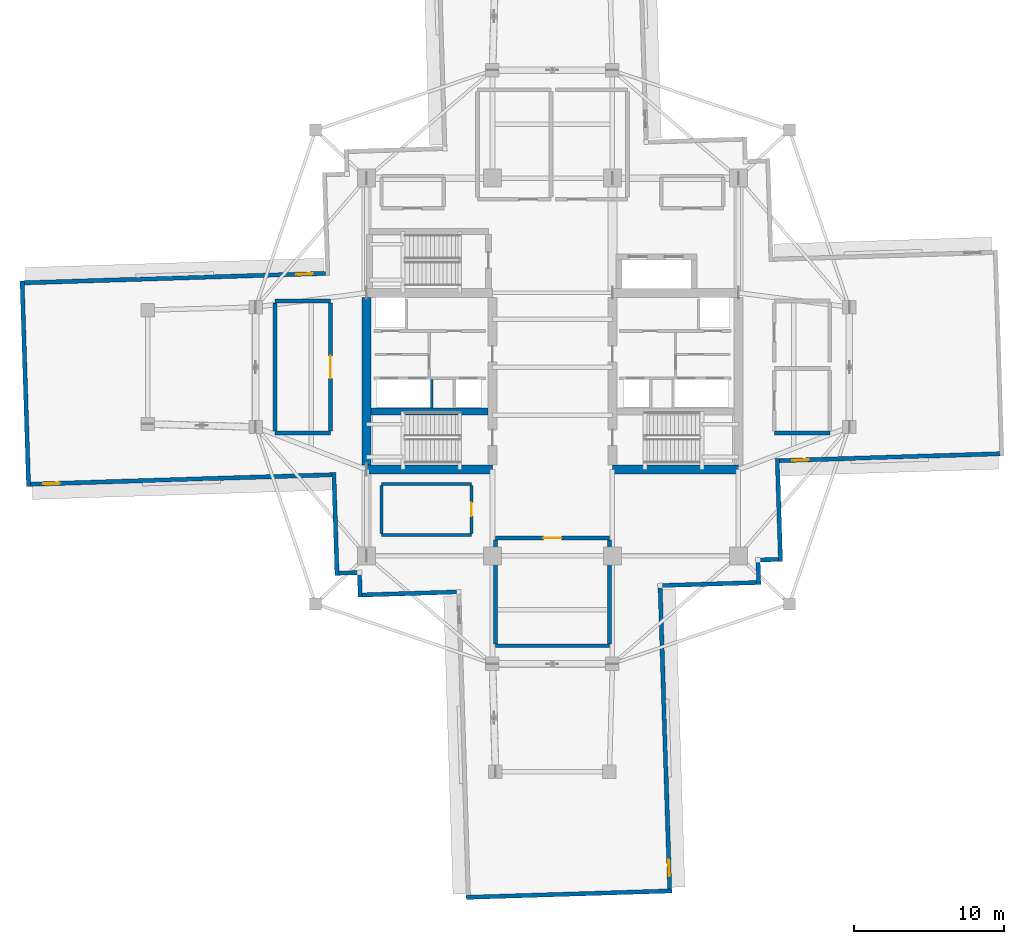
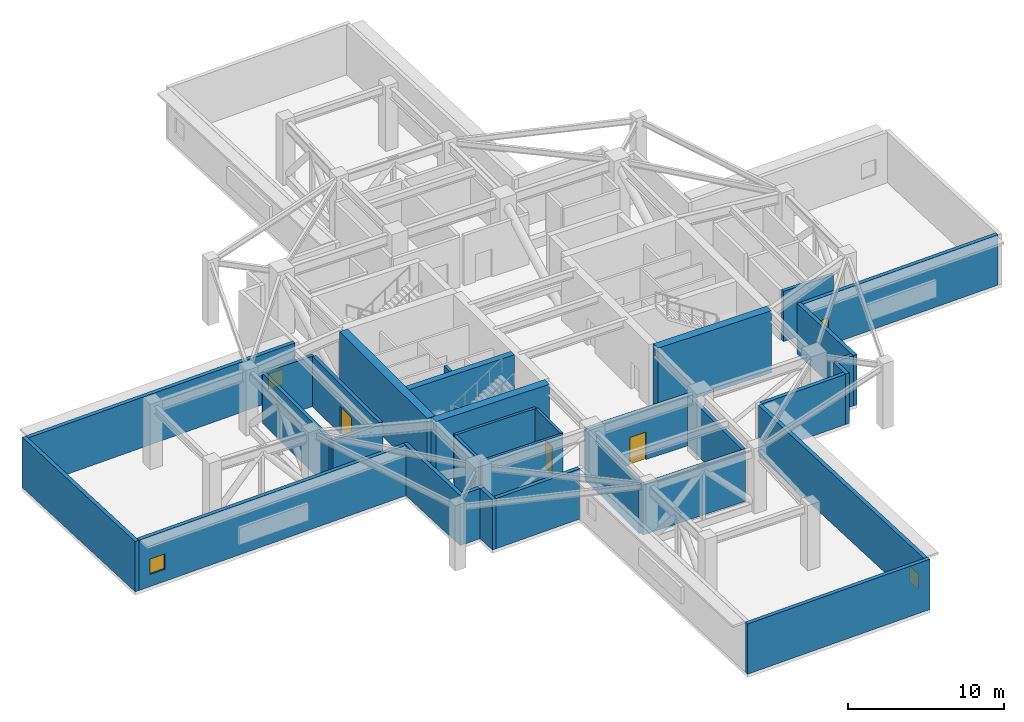
# One storey, part 9 of 17: 32 walls, 4 windows, 3 doors, 7 openings.
"""IFC4 building model written with IfcOpenShell, lengths in metres."""

from ifc_helpers import new_model, si_unit, direction, frame, frame_2d, origin, place, context, subcontext, project, spatial, rectangle, extrude, material, layer, layer_set, type_object, element, fill, save


model = new_model("IFC4")

# Units and contexts
model_context = context("Model", 3, precision=1e-05, world=origin(), true_north=direction((0.0, 1.0)))
body_context = subcontext(model_context, "Body", "Model", "MODEL_VIEW")
ifc_project = project(units=[si_unit("LENGTHUNIT", "METRE"), si_unit("AREAUNIT", "SQUARE_METRE"), si_unit("VOLUMEUNIT", "CUBIC_METRE"), si_unit("PLANEANGLEUNIT", "RADIAN"), si_unit("MASSUNIT", "GRAM", prefix="KILO")], contexts=[model_context])

# Site, building, storey
site_placement = place(None, origin())
site = spatial("IfcSite", under=ifc_project, at=site_placement, CompositionType="ELEMENT")
building_placement = place(site_placement, origin())
building = spatial("IfcBuilding", under=site, at=building_placement, Name="Qingluan Cross Belvedere", CompositionType="ELEMENT")
storey_placement = place(building_placement, frame((0.0, 0.0, 191.699951171875)))
storey = spatial("IfcBuildingStorey", under=building, at=storey_placement, Name="L48", CompositionType="ELEMENT", Elevation=191.699951171875)

# Walls
ifc_material_1 = material(Name="Concrete C50", Category="concrete")
ifc_layer_1 = layer(ifc_material_1, 0.449951171875, Name="CoreShearWall_450")
ifc_layer_set_1 = layer_set([ifc_layer_1], Name="Concrete C50")
wall_type_1 = type_object("IfcWallType", Name="CoreShearWall_450", PredefinedType="SHEAR", material=ifc_layer_set_1)
wall_1_placement = place(storey_placement, frame((-12.094970703125, -2.9599609375, 0.0), z_axis=(0.0, 0.0, 1.0), x_axis=(1.0, 0.0, 0.0)))
element("IfcWall", 1, at=wall_1_placement, inside=storey, type_object=wall_type_1, Name="Split core W shear wall L48-M", PredefinedType="SHEAR", context=body_context, shape_type="SweptSolid", body=[
    extrude(rectangle(XDim=7.7900390625, YDim=0.449951171875, at=frame_2d((3.89501953125, 0.0))), origin(), (0.0, 0.0, 1.0), 4.85009765625),
])
ifc_material_2 = material(Name="Concrete C60", Category="concrete")
ifc_layer_2 = layer(ifc_material_2, 0.60009765625, Name="CoreShearWall_600")
ifc_layer_set_2 = layer_set([ifc_layer_2], Name="Concrete C60")
wall_type_2 = type_object("IfcWallType", Name="CoreShearWall_600", PredefinedType="SHEAR", material=ifc_layer_set_2)
wall_2_placement = place(storey_placement, frame((-12.39990234375, -6.85009765625, 0.0), z_axis=(0.0, 0.0, 1.0), x_axis=(1.0, 0.0, 0.0)))
element("IfcWall", 2, at=wall_2_placement, inside=storey, type_object=wall_type_2, Name="Split core W shear wall L48-S", PredefinedType="SHEAR", context=body_context, shape_type="SweptSolid", body=[
    extrude(rectangle(XDim=8.39990234375, YDim=0.60009765625, at=frame_2d((4.199951171875, 0.0))), origin(), (0.0, 0.0, 1.0), 4.85009765625),
])
wall_3_placement = place(storey_placement, frame((-12.39990234375, -6.544921875, 0.0), z_axis=(0.0, 0.0, 1.0), x_axis=(0.0, 1.0, 0.0)))
element("IfcWall", 3, at=wall_3_placement, inside=storey, type_object=wall_type_2, Name="Split core W shear wall L48-W", PredefinedType="SHEAR", context=body_context, shape_type="SweptSolid", body=[
    extrude(rectangle(XDim=11.18994140625, YDim=0.60009765625, at=frame_2d((5.594970703125, 0.0))), origin(), (0.0, 0.0, 1.0), 4.85009765625),
])
wall_4_placement = place(storey_placement, frame((4.0, -6.85009765625, 0.0), z_axis=(0.0, 0.0, 1.0), x_axis=(1.0, 0.0, 0.0)))
element("IfcWall", 4, at=wall_4_placement, inside=storey, type_object=wall_type_2, Name="Split core E shear wall L48-S", PredefinedType="SHEAR", context=body_context, shape_type="SweptSolid", body=[
    extrude(rectangle(XDim=8.39990234375, YDim=0.60009765625, at=frame_2d((4.199951171875, 0.0))), origin(), (0.0, 0.0, 1.0), 4.85009765625),
])
ifc_material_3 = material(Name="Gypsum plasterboard on steel stud acoustic partition", Category="steel")
ifc_layer_3 = layer(ifc_material_3, 0.159912109375, Name="CorridorPartition_160")
ifc_layer_set_3 = layer_set([ifc_layer_3], Name="Gypsum plasterboard on steel stud acoustic partition")
wall_type_3 = type_object("IfcWallType", Name="CorridorPartition_160", PredefinedType="PARTITIONING", material=ifc_layer_set_3)
for number, where, z_axis, x_axis, name in (
    (5, (-11.39990234375, -11.199951171875, 0.0), (0.0, 0.0, 1.0), (1.0, 0.0, 0.0), "Partition L48:bms_plant:S"),
    (6, (-11.39990234375, -7.800048828125, 0.0), (0.0, 0.0, 1.0), (1.0, 0.0, 0.0), "Partition L48:bms_plant:N"),
):
    element("IfcWall", number, at=place(storey_placement, frame(where, z_axis=z_axis, x_axis=x_axis)), inside=storey, type_object=wall_type_3, Name=name, PredefinedType="PARTITIONING", context=body_context, shape_type="SweptSolid", body=[
        extrude(rectangle(XDim=6.0, YDim=0.199951171875, at=frame_2d((3.0, 0.0))), origin(), (0.0, 0.0, 1.0), 3.920166015625),
    ])
wall_5_placement = place(storey_placement, frame((-11.39990234375, -11.094970703125, 0.0), z_axis=(0.0, 0.0, 1.0), x_axis=(0.0, 1.0, 0.0)))
element("IfcWall", 7, at=wall_5_placement, inside=storey, type_object=wall_type_3, Name="Partition L48:bms_plant:W", PredefinedType="PARTITIONING", context=body_context, shape_type="SweptSolid", body=[
    extrude(rectangle(XDim=3.18994140625, YDim=0.199951171875, at=frame_2d((1.594970703125, 0.0))), origin(), (0.0, 0.0, 1.0), 3.920166015625),
])

# Wall, opening, door
wall_6_placement = place(storey_placement, frame((-5.39990234375, -11.094970703125, 0.0), z_axis=(0.0, 0.0, 1.0), x_axis=(0.0, 1.0, 0.0)))
wall_6 = element("IfcWall", 8, at=wall_6_placement, inside=storey, type_object=wall_type_3, Name="Partition L48:bms_plant:E", PredefinedType="PARTITIONING", context=body_context, shape_type="SweptSolid", body=[
    extrude(rectangle(XDim=3.18994140625, YDim=0.199951171875, at=frame_2d((1.594970703125, 0.0))), origin(), (0.0, 0.0, 1.0), 3.920166015625),
])
opening_1_placement = place(wall_6_placement, frame((1.14501953125, 0.0, 0.0)))
opening_1 = element("IfcOpeningElement", 9, at=opening_1_placement, cuts=wall_6, Name="Opening FD-B09", PredefinedType="OPENING", context=body_context, shape_type="SweptSolid", body=[
    extrude(rectangle(XDim=0.89990234375, YDim=2.14990234375, at=frame_2d((0.449951171875, 1.074951171875))), frame((0.0, 0.10986328125, 0.0), z_axis=(0.0, -1.0, 0.0), x_axis=(1.0, 0.0, 0.0)), (0.0, 0.0, 1.0), 0.219970703125),
])
ifc_material_4 = material(Name="Steel Class B control room fire door", Category="steel")
door_type_1 = type_object("IfcDoorType", Name="ControlServiceFireDoor_FDB", OperationType="NOTDEFINED", PredefinedType="DOOR", material=ifc_material_4)
door_1_placement = place(opening_1_placement, origin())
door_1 = element("IfcDoor", 10, at=door_1_placement, inside=storey, type_object=door_type_1, Name="Telecom and BMS control room L48 door", OperationType="SINGLE_SWING_LEFT", OverallHeight=2.14990234375, OverallWidth=0.89990234375, PredefinedType="DOOR", context=body_context, shape_type="SweptSolid", body=[
    extrude(rectangle(XDim=0.89990234375, YDim=2.14990234375, at=frame_2d((0.449951171875, 1.074951171875))), frame((0.0, 0.02490234375, 0.0), z_axis=(0.0, -1.0, 0.0), x_axis=(1.0, 0.0, 0.0)), (0.0, 0.0, 1.0), 0.050048828125),
])
fill(opening_1, door_1)

# Wall
ifc_material_5 = material(Name="Concrete C40", Category="concrete")
ifc_layer_4 = layer(ifc_material_5, 0.300048828125, Name="FireCompartmentWall_300")
ifc_layer_set_4 = layer_set([ifc_layer_4], Name="Concrete C40")
wall_type_4 = type_object("IfcWallType", Name="FireCompartmentWall_300", PredefinedType="SOLIDWALL", material=ifc_layer_set_4)
wall_7_placement = place(storey_placement, frame((-3.800048828125, -18.60009765625, 0.0), z_axis=(0.0, 0.0, 1.0), x_axis=(1.0, 0.0, 0.0)))
element("IfcWall", 11, at=wall_7_placement, inside=storey, type_object=wall_type_4, Name="Partition L48:refuge_s:S", PredefinedType="SOLIDWALL", context=body_context, shape_type="SweptSolid", body=[
    extrude(rectangle(XDim=7.60009765625, YDim=0.25, at=frame_2d((3.800048828125, 0.0))), origin(), (0.0, 0.0, 1.0), 3.920166015625),
])

# Wall, opening, door
wall_8_placement = place(storey_placement, frame((-3.800048828125, -11.39990234375, 0.0), z_axis=(0.0, 0.0, 1.0), x_axis=(1.0, 0.0, 0.0)))
wall_8 = element("IfcWall", 12, at=wall_8_placement, inside=storey, type_object=wall_type_4, Name="Partition L48:refuge_s:N", PredefinedType="SOLIDWALL", context=body_context, shape_type="SweptSolid", body=[
    extrude(rectangle(XDim=7.60009765625, YDim=0.25, at=frame_2d((3.800048828125, 0.0))), origin(), (0.0, 0.0, 1.0), 3.920166015625),
])
opening_2_placement = place(wall_8_placement, frame((3.199951171875, 0.0, 0.0)))
opening_2 = element("IfcOpeningElement", 13, at=opening_2_placement, cuts=wall_8, Name="Opening FD-A12", PredefinedType="OPENING", context=body_context, shape_type="SweptSolid", body=[
    extrude(rectangle(XDim=1.199951171875, YDim=2.14990234375, at=frame_2d((0.60009765625, 1.074951171875))), frame((0.0, 0.135009765625, 0.0), z_axis=(0.0, -1.0, 0.0), x_axis=(1.0, 0.0, 0.0)), (0.0, 0.0, 1.0), 0.27001953125),
])
ifc_material_6 = material(Name="Insulated steel Class A fire door", Category="steel")
door_type_2 = type_object("IfcDoorType", Name="RefugeCompartmentDoor_FDA", OperationType="NOTDEFINED", PredefinedType="DOOR", material=ifc_material_6)
door_2_placement = place(opening_2_placement, origin())
door_2 = element("IfcDoor", 14, at=door_2_placement, inside=storey, type_object=door_type_2, Name="Fire refuge area South L48 door", OperationType="SINGLE_SWING_RIGHT", OverallHeight=2.14990234375, OverallWidth=1.199951171875, PredefinedType="DOOR", context=body_context, shape_type="SweptSolid", body=[
    extrude(rectangle(XDim=1.199951171875, YDim=2.14990234375, at=frame_2d((0.60009765625, 1.074951171875))), frame((0.0, 0.02490234375, 0.0), z_axis=(0.0, -1.0, 0.0), x_axis=(1.0, 0.0, 0.0)), (0.0, 0.0, 1.0), 0.050048828125),
])
fill(opening_2, door_2)

# Walls
for number, where, z_axis, x_axis, name in (
    (15, (-3.800048828125, -18.469970703125, 0.0), (0.0, 0.0, 1.0), (0.0, 1.0, 0.0), "Partition L48:refuge_s:W"),
    (16, (3.800048828125, -18.469970703125, 0.0), (0.0, 0.0, 1.0), (0.0, 1.0, 0.0), "Partition L48:refuge_s:E"),
):
    element("IfcWall", number, at=place(storey_placement, frame(where, z_axis=z_axis, x_axis=x_axis)), inside=storey, type_object=wall_type_4, Name=name, PredefinedType="SOLIDWALL", context=body_context, shape_type="SweptSolid", body=[
        extrude(rectangle(XDim=6.93994140625, YDim=0.25, at=frame_2d((3.469970703125, 0.0))), origin(), (0.0, 0.0, 1.0), 3.920166015625),
    ])
for number, where, z_axis, x_axis, name in (
    (17, (14.800048828125, -4.39990234375, 0.0), (0.0, 0.0, 1.0), (1.0, 0.0, 0.0), "Partition L48:ahu_s:S"),
    (18, (-18.5, -4.39990234375, 0.0), (0.0, 0.0, 1.0), (1.0, 0.0, 0.0), "Partition L48:elec_plant:S"),
    (19, (-18.5, 4.39990234375, 0.0), (0.0, 0.0, 1.0), (1.0, 0.0, 0.0), "Partition L48:elec_plant:N"),
):
    element("IfcWall", number, at=place(storey_placement, frame(where, z_axis=z_axis, x_axis=x_axis)), inside=storey, type_object=wall_type_4, Name=name, PredefinedType="SOLIDWALL", context=body_context, shape_type="SweptSolid", body=[
        extrude(rectangle(XDim=3.699951171875, YDim=0.25, at=frame_2d((1.85009765625, 0.0))), origin(), (0.0, 0.0, 1.0), 3.920166015625),
    ])
wall_9_placement = place(storey_placement, frame((-18.5, -4.27001953125, 0.0), z_axis=(0.0, 0.0, 1.0), x_axis=(0.0, 1.0, 0.0)))
element("IfcWall", 20, at=wall_9_placement, inside=storey, type_object=wall_type_4, Name="Partition L48:elec_plant:W", PredefinedType="SOLIDWALL", context=body_context, shape_type="SweptSolid", body=[
    extrude(rectangle(XDim=8.5400390625, YDim=0.25, at=frame_2d((4.27001953125, 0.0))), origin(), (0.0, 0.0, 1.0), 3.920166015625),
])

# Wall, opening, door
wall_10_placement = place(storey_placement, frame((-14.800048828125, -4.27001953125, 0.0), z_axis=(0.0, 0.0, 1.0), x_axis=(0.0, 1.0, 0.0)))
wall_10 = element("IfcWall", 21, at=wall_10_placement, inside=storey, type_object=wall_type_4, Name="Partition L48:elec_plant:E", PredefinedType="SOLIDWALL", context=body_context, shape_type="SweptSolid", body=[
    extrude(rectangle(XDim=8.5400390625, YDim=0.25, at=frame_2d((4.27001953125, 0.0))), origin(), (0.0, 0.0, 1.0), 3.920166015625),
])
opening_3_placement = place(wall_10_placement, frame((3.52001953125, 0.0, 0.0)))
opening_3 = element("IfcOpeningElement", 22, at=opening_3_placement, cuts=wall_10, Name="Opening FD-A15", PredefinedType="OPENING", context=body_context, shape_type="SweptSolid", body=[
    extrude(rectangle(XDim=1.5, YDim=2.14990234375, at=frame_2d((0.75, 1.074951171875))), frame((0.0, 0.135009765625, 0.0), z_axis=(0.0, -1.0, 0.0), x_axis=(1.0, 0.0, 0.0)), (0.0, 0.0, 1.0), 0.27001953125),
])
ifc_material_7 = material(Name="Insulated steel Class A double fire door", Category="steel")
door_type_3 = type_object("IfcDoorType", Name="PlantDoubleFireDoor_FDA", OperationType="DOUBLE_DOOR_SINGLE_SWING", PredefinedType="DOOR", material=ifc_material_7)
door_3_placement = place(opening_3_placement, origin())
door_3 = element("IfcDoor", 23, at=door_3_placement, inside=storey, type_object=door_type_3, Name="Mid-zone substation and switchgear room L48 door", OperationType="DOUBLE_DOOR_SINGLE_SWING", OverallHeight=2.14990234375, OverallWidth=1.5, PredefinedType="DOOR", context=body_context, shape_type="SweptSolid", body=[
    extrude(rectangle(XDim=1.5, YDim=2.14990234375, at=frame_2d((0.75, 1.074951171875))), frame((0.0, 0.02490234375, 0.0), z_axis=(0.0, -1.0, 0.0), x_axis=(1.0, 0.0, 0.0)), (0.0, 0.0, 1.0), 0.050048828125),
])
fill(opening_3, door_3)

# Wall, opening, window
ifc_material_8 = material(Name="Precast concrete C45", Category="concrete")
ifc_layer_5 = layer(ifc_material_8, 0.280029296875, Name="PrecastFacadeWall_280")
ifc_layer_set_5 = layer_set([ifc_layer_5], Name="Precast concrete C45")
wall_type_5 = type_object("IfcWallType", Name="PrecastFacadeWall_280", PredefinedType="STANDARD", material=ifc_layer_set_5)
wall_11_placement = place(storey_placement, frame((15.143798828125, -6.247314453125, 0.0), z_axis=(0.0, 0.0, 1.0), x_axis=(0.999506698073, 0.031406376864, 0.0)))
wall_11 = element("IfcWall", 24, at=wall_11_placement, inside=storey, type_object=wall_type_5, Name="Facade wall L48-EA", PredefinedType="STANDARD", context=body_context, shape_type="SweptSolid", body=[
    extrude(rectangle(XDim=14.699951171875, YDim=0.280029296875, at=frame_2d((7.35009765625, 0.0))), origin(), (0.0, 0.0, 1.0), 3.929931640625),
])
opening_4_placement = place(wall_11_placement, frame((0.85009765625, 0.0, 0.949951171875)))
opening_4 = element("IfcOpeningElement", 25, at=opening_4_placement, cuts=wall_11, Name="Opening W-07", PredefinedType="OPENING", context=body_context, shape_type="SweptSolid", body=[
    extrude(rectangle(XDim=1.10009765625, YDim=1.199951171875, at=frame_2d((0.550048828125, 0.60009765625))), frame((0.0, 0.14990234375, 0.0), z_axis=(0.0, -1.0, 0.0), x_axis=(1.0, 0.0, 0.0)), (0.0, 0.0, 1.0), 0.300048828125),
])
ifc_material_9 = material(Name="Thermally broken triple Low-E glass in aluminium frame", Category="aluminium")
window_type = type_object("IfcWindowType", Name="RefugeSmokeWin_1100x1200", PartitioningType="SINGLE_PANEL", PredefinedType="WINDOW", material=ifc_material_9)
window_1_placement = place(opening_4_placement, origin())
window_1 = element("IfcWindow", 26, at=window_1_placement, inside=storey, type_object=window_type, Name="Refuge operable smoke window L48-EA", OverallHeight=1.199951171875, OverallWidth=1.10009765625, PartitioningType="SINGLE_PANEL", PredefinedType="WINDOW", context=body_context, shape_type="SweptSolid", body=[
    extrude(rectangle(XDim=1.10009765625, YDim=1.199951171875, at=frame_2d((0.550048828125, 0.60009765625))), frame((0.0, 0.030029296875, 0.0), z_axis=(0.0, -1.0, 0.0), x_axis=(1.0, 0.0, 0.0)), (0.0, 0.0, 1.0), 0.06005859375),
])
fill(opening_4, window_1)

wall_12_placement = place(storey_placement, frame((-15.143798828125, 6.247314453125, 0.0), z_axis=(0.0, 0.0, 1.0), x_axis=(-0.999506955354, -0.031398187845, 0.0)))
wall_12 = element("IfcWall", 27, at=wall_12_placement, inside=storey, type_object=wall_type_5, Name="Facade wall L48-WA", PredefinedType="STANDARD", context=body_context, shape_type="SweptSolid", body=[
    extrude(rectangle(XDim=20.10009765625, YDim=0.280029296875, at=frame_2d((10.050048828125, 0.0))), origin(), (0.0, 0.0, 1.0), 3.929931640625),
])
opening_5_placement = place(wall_12_placement, frame((0.85009765625, 0.0, 0.949951171875)))
opening_5 = element("IfcOpeningElement", 28, at=opening_5_placement, cuts=wall_12, Name="Opening W-07", PredefinedType="OPENING", context=body_context, shape_type="SweptSolid", body=[
    extrude(rectangle(XDim=1.10009765625, YDim=1.199951171875, at=frame_2d((0.550048828125, 0.60009765625))), frame((0.0, 0.14990234375, 0.0), z_axis=(0.0, -1.0, 0.0), x_axis=(1.0, 0.0, 0.0)), (0.0, 0.0, 1.0), 0.300048828125),
])
window_2_placement = place(opening_5_placement, origin())
window_2 = element("IfcWindow", 29, at=window_2_placement, inside=storey, type_object=window_type, Name="Refuge operable smoke window L48-WA", OverallHeight=1.199951171875, OverallWidth=1.10009765625, PartitioningType="SINGLE_PANEL", PredefinedType="WINDOW", context=body_context, shape_type="SweptSolid", body=[
    extrude(rectangle(XDim=1.10009765625, YDim=1.199951171875, at=frame_2d((0.550048828125, 0.60009765625))), frame((0.0, 0.030029296875, 0.0), z_axis=(0.0, -1.0, 0.0), x_axis=(1.0, 0.0, 0.0)), (0.0, 0.0, 1.0), 0.06005859375),
])
fill(opening_5, window_2)

wall_13_placement = place(storey_placement, frame((-34.8115234375, -7.8173828125, 0.0), z_axis=(0.0, 0.0, 1.0), x_axis=(0.999506574096, 0.031410322165, 0.0)))
wall_13 = element("IfcWall", 30, at=wall_13_placement, inside=storey, type_object=wall_type_5, Name="Facade wall L48-WB", PredefinedType="STANDARD", context=body_context, shape_type="SweptSolid", body=[
    extrude(rectangle(XDim=20.10009765625, YDim=0.280029296875, at=frame_2d((10.050048828125, 0.0))), origin(), (0.0, 0.0, 1.0), 3.929931640625),
])
opening_6_placement = place(wall_13_placement, frame((0.85009765625, 0.0, 0.949951171875)))
opening_6 = element("IfcOpeningElement", 31, at=opening_6_placement, cuts=wall_13, Name="Opening W-07", PredefinedType="OPENING", context=body_context, shape_type="SweptSolid", body=[
    extrude(rectangle(XDim=1.10009765625, YDim=1.199951171875, at=frame_2d((0.550048828125, 0.60009765625))), frame((0.0, 0.14990234375, 0.0), z_axis=(0.0, -1.0, 0.0), x_axis=(1.0, 0.0, 0.0)), (0.0, 0.0, 1.0), 0.300048828125),
])
window_3_placement = place(opening_6_placement, origin())
window_3 = element("IfcWindow", 32, at=window_3_placement, inside=storey, type_object=window_type, Name="Refuge operable smoke window L48-WB", OverallHeight=1.199951171875, OverallWidth=1.10009765625, PartitioningType="SINGLE_PANEL", PredefinedType="WINDOW", context=body_context, shape_type="SweptSolid", body=[
    extrude(rectangle(XDim=1.10009765625, YDim=1.199951171875, at=frame_2d((0.550048828125, 0.60009765625))), frame((0.0, 0.030029296875, 0.0), z_axis=(0.0, -1.0, 0.0), x_axis=(1.0, 0.0, 0.0)), (0.0, 0.0, 1.0), 0.06005859375),
])
fill(opening_6, window_3)

# Wall
wall_14_placement = place(storey_placement, frame((-35.378173828125, 5.751708984375, 0.0), z_axis=(0.0, 0.0, 1.0), x_axis=(0.031406966164, -0.999506679556, 0.0)))
element("IfcWall", 33, at=wall_14_placement, inside=storey, type_object=wall_type_5, Name="Arm tip precast facade wall L48-W", PredefinedType="STANDARD", context=body_context, shape_type="SweptSolid", body=[
    extrude(rectangle(XDim=13.72021484375, YDim=0.280029296875, at=frame_2d((6.860107421875, 0.0))), origin(), (0.0, 0.0, 1.0), 3.929931640625),
])

# Wall, opening, window
wall_15_placement = place(storey_placement, frame((7.8173828125, -34.8115234375, 0.0), z_axis=(0.0, 0.0, 1.0), x_axis=(-0.031410322165, 0.999506574096, 0.0)))
wall_15 = element("IfcWall", 34, at=wall_15_placement, inside=storey, type_object=wall_type_5, Name="Facade wall L48-SB", PredefinedType="STANDARD", context=body_context, shape_type="SweptSolid", body=[
    extrude(rectangle(XDim=20.10009765625, YDim=0.280029296875, at=frame_2d((10.050048828125, 0.0))), origin(), (0.0, 0.0, 1.0), 3.929931640625),
])
opening_7_placement = place(wall_15_placement, frame((0.85009765625, 0.0, 0.949951171875)))
opening_7 = element("IfcOpeningElement", 35, at=opening_7_placement, cuts=wall_15, Name="Opening W-07", PredefinedType="OPENING", context=body_context, shape_type="SweptSolid", body=[
    extrude(rectangle(XDim=1.10009765625, YDim=1.199951171875, at=frame_2d((0.550048828125, 0.60009765625))), frame((0.0, 0.14990234375, 0.0), z_axis=(0.0, -1.0, 0.0), x_axis=(1.0, 0.0, 0.0)), (0.0, 0.0, 1.0), 0.300048828125),
])
window_4_placement = place(opening_7_placement, origin())
window_4 = element("IfcWindow", 36, at=window_4_placement, inside=storey, type_object=window_type, Name="Refuge operable smoke window L48-SB", OverallHeight=1.199951171875, OverallWidth=1.10009765625, PartitioningType="SINGLE_PANEL", PredefinedType="WINDOW", context=body_context, shape_type="SweptSolid", body=[
    extrude(rectangle(XDim=1.10009765625, YDim=1.199951171875, at=frame_2d((0.550048828125, 0.60009765625))), frame((0.0, 0.030029296875, 0.0), z_axis=(0.0, -1.0, 0.0), x_axis=(1.0, 0.0, 0.0)), (0.0, 0.0, 1.0), 0.06005859375),
])
fill(opening_7, window_4)

# Walls
wall_16_placement = place(storey_placement, frame((-5.751708984375, -35.378173828125, 0.0), z_axis=(0.0, 0.0, 1.0), x_axis=(0.999506679556, 0.031406966164, 0.0)))
element("IfcWall", 37, at=wall_16_placement, inside=storey, type_object=wall_type_5, Name="Arm tip precast facade wall L48-S", PredefinedType="STANDARD", context=body_context, shape_type="SweptSolid", body=[
    extrude(rectangle(XDim=13.72021484375, YDim=0.280029296875, at=frame_2d((6.860107421875, 0.0))), origin(), (0.0, 0.0, 1.0), 3.929931640625),
])
wall_17_placement = place(storey_placement, frame((-14.5859375, -7.04150390625, 0.0), z_axis=(0.0, 0.0, 1.0), x_axis=(0.031389189386, -0.999507237988, 0.0)))
element("IfcWall", 38, at=wall_17_placement, inside=storey, type_object=wall_type_5, Name="Corner wall L48-SW1", PredefinedType="STANDARD", context=body_context, shape_type="SweptSolid", body=[
    extrude(rectangle(XDim=6.860107421875, YDim=0.280029296875, at=frame_2d((3.43017578125, 0.0))), origin(), (0.0, 0.0, 1.0), 3.929931640625),
])
wall_18_placement = place(storey_placement, frame((-14.235107421875, -13.75390625, 0.0), z_axis=(0.0, 0.0, 1.0), x_axis=(0.999506398264, 0.031415916822, 0.0)))
element("IfcWall", 39, at=wall_18_placement, inside=storey, type_object=wall_type_5, Name="Corner wall L48-SW2", PredefinedType="STANDARD", context=body_context, shape_type="SweptSolid", body=[
    extrude(rectangle(XDim=1.219970703125, YDim=0.280029296875, at=frame_2d((0.60986328125, 0.0))), origin(), (0.0, 0.0, 1.0), 3.929931640625),
])
wall_19_placement = place(storey_placement, frame((-12.871337890625, -13.85107421875, 0.0), z_axis=(0.0, 0.0, 1.0), x_axis=(0.031412596484, -0.999506502621, 0.0)))
element("IfcWall", 40, at=wall_19_placement, inside=storey, type_object=wall_type_5, Name="Corner wall L48-SW3", PredefinedType="STANDARD", context=body_context, shape_type="SweptSolid", body=[
    extrude(rectangle(XDim=1.5, YDim=0.280029296875, at=frame_2d((0.75, 0.0))), origin(), (0.0, 0.0, 1.0), 3.929931640625),
])
wall_20_placement = place(storey_placement, frame((-12.688720703125, -15.2060546875, 0.0), z_axis=(0.0, 0.0, 1.0), x_axis=(0.999507262922, 0.031388395416, 0.0)))
element("IfcWall", 41, at=wall_20_placement, inside=storey, type_object=wall_type_5, Name="Corner wall L48-SW4", PredefinedType="STANDARD", context=body_context, shape_type="SweptSolid", body=[
    extrude(rectangle(XDim=6.30029296875, YDim=0.280029296875, at=frame_2d((3.150146484375, 0.0))), origin(), (0.0, 0.0, 1.0), 3.929931640625),
])
wall_21_placement = place(storey_placement, frame((14.99951171875, -6.11181640625, 0.0), z_axis=(0.0, 0.0, 1.0), x_axis=(0.031389189386, -0.999507237988, 0.0)))
element("IfcWall", 42, at=wall_21_placement, inside=storey, type_object=wall_type_5, Name="Corner wall L48-SE1", PredefinedType="STANDARD", context=body_context, shape_type="SweptSolid", body=[
    extrude(rectangle(XDim=6.860107421875, YDim=0.280029296875, at=frame_2d((3.43017578125, 0.0))), origin(), (0.0, 0.0, 1.0), 3.929931640625),
])
wall_22_placement = place(storey_placement, frame((15.070556640625, -12.8330078125, 0.0), z_axis=(0.0, 0.0, 1.0), x_axis=(-0.999506398264, -0.031415916822, 0.0)))
element("IfcWall", 43, at=wall_22_placement, inside=storey, type_object=wall_type_5, Name="Corner wall L48-SE2", PredefinedType="STANDARD", context=body_context, shape_type="SweptSolid", body=[
    extrude(rectangle(XDim=1.219970703125, YDim=0.280029296875, at=frame_2d((0.60986328125, 0.0))), origin(), (0.0, 0.0, 1.0), 3.929931640625),
])
wall_23_placement = place(storey_placement, frame((13.715576171875, -13.015625, 0.0), z_axis=(0.0, 0.0, 1.0), x_axis=(0.031412596484, -0.999506502621, 0.0)))
element("IfcWall", 44, at=wall_23_placement, inside=storey, type_object=wall_type_5, Name="Corner wall L48-SE3", PredefinedType="STANDARD", context=body_context, shape_type="SweptSolid", body=[
    extrude(rectangle(XDim=1.5, YDim=0.280029296875, at=frame_2d((0.75, 0.0))), origin(), (0.0, 0.0, 1.0), 3.929931640625),
])
wall_24_placement = place(storey_placement, frame((13.618408203125, -14.37939453125, 0.0), z_axis=(0.0, 0.0, 1.0), x_axis=(-0.999507224741, -0.031389611199, 0.0)))
element("IfcWall", 45, at=wall_24_placement, inside=storey, type_object=wall_type_5, Name="Corner wall L48-SE4", PredefinedType="STANDARD", context=body_context, shape_type="SweptSolid", body=[
    extrude(rectangle(XDim=6.300048828125, YDim=0.280029296875, at=frame_2d((3.14990234375, 0.0))), origin(), (0.0, 0.0, 1.0), 3.929931640625),
])
ifc_material_10 = material(Name="Concrete C40", Category="concrete")
ifc_layer_6 = layer(ifc_material_10, 0.219970703125, Name="ShaftEnclosureWall_250")
ifc_layer_set_6 = layer_set([ifc_layer_6], Name="Concrete C40")
wall_type_6 = type_object("IfcWallType", Name="ShaftEnclosureWall_250", PredefinedType="SOLIDWALL", material=ifc_layer_set_6)
wall_25_placement = place(storey_placement, frame((-8.06005859375, -2.72998046875, 0.0), z_axis=(0.0, 0.0, 1.0), x_axis=(0.0, 1.0, 0.0)))
element("IfcWall", 46, at=wall_25_placement, inside=storey, type_object=wall_type_6, Name="Hoistway enclosure divider LP6E L48", PredefinedType="SOLIDWALL", context=body_context, shape_type="SweptSolid", body=[
    extrude(rectangle(XDim=1.889892578125, YDim=0.179931640625, at=frame_2d((0.94482421875, 0.0))), origin(), (0.0, 0.0, 1.0), 3.920166015625),
])

save(model, "model.ifc")
